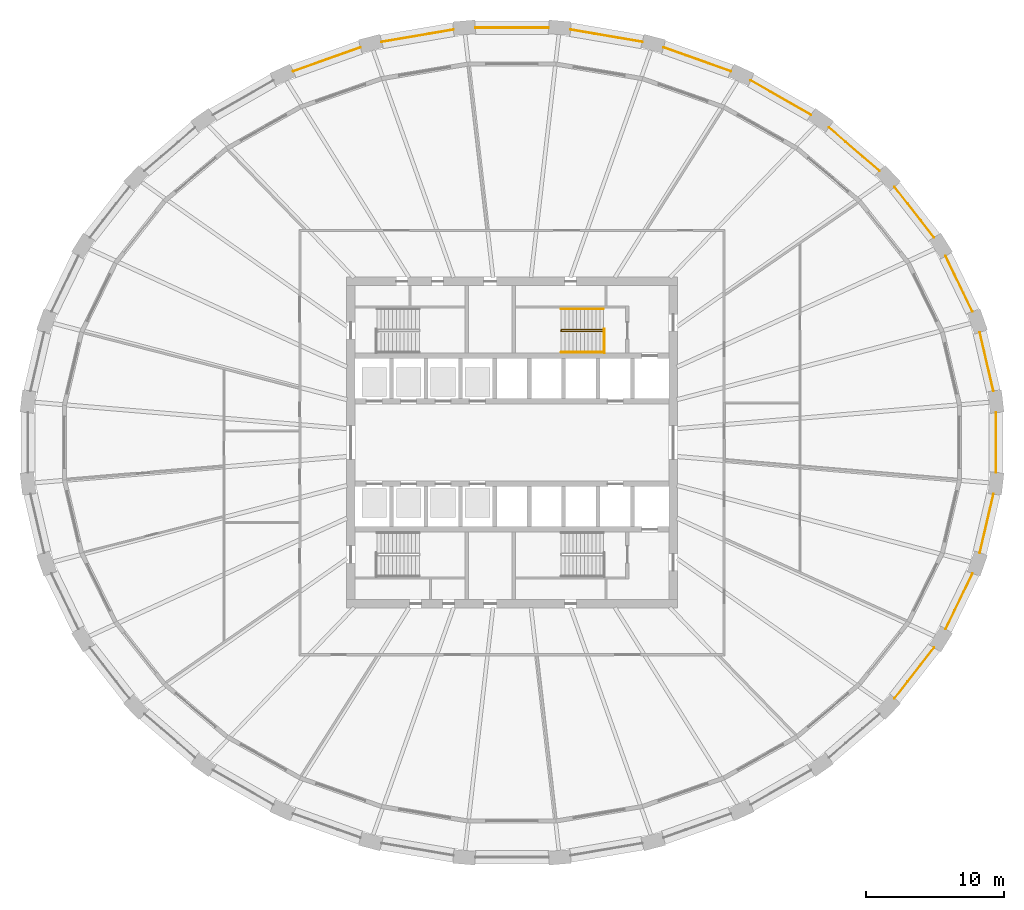
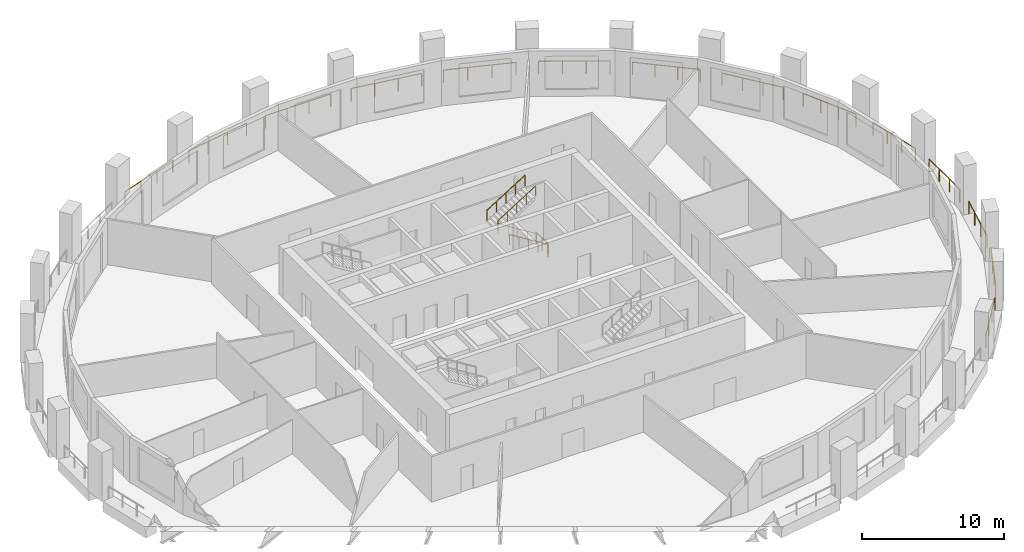
# One storey, part 9 of 10: 18 railings.
"""IFC4 building model written with IfcOpenShell, lengths in metres."""

import ifcopenshell
import ifcopenshell.guid

model = None  # the IFC model being written
_history = None  # IfcOwnerHistory: only IFC2X3 demands one
_inside = {}  # id of a spatial element -> (the spatial element, [elements in it])
_under = {}  # id of a project, library or spatial element -> (it, [spatial elements below it])
_declared = {}  # id of a project -> (the project, [libraries it declares])
_typed = {}  # id of a type object -> (the type object, [elements of that type])
_made_of = {}  # id of a material, layer set ... -> (it, [elements and type objects made of it])


def new_model(schema):
    """Start an empty IFC model of exactly this schema.

    Asked for "IFC4X3", IfcOpenShell would pick the latest addendum, in which some entities
    have other attributes; the version numbers below select the first issue.
    IFC2X3 requires an IfcOwnerHistory on every rooted entity: one is made here for all.
    """
    global model, _history
    if schema == "IFC4X3":
        model = ifcopenshell.file(schema_version=(4, 3, 0, 0))
    else:
        model = ifcopenshell.file(schema=schema)
    _inside.clear()
    _under.clear()
    _declared.clear()
    _typed.clear()
    _made_of.clear()
    _history = None
    if model.schema == "IFC2X3":
        org = make("IfcOrganization", Name="unknown")
        user = make(
            "IfcPersonAndOrganization",
            ThePerson=make("IfcPerson", FamilyName="unknown"),
            TheOrganization=org,
        )
        app = make(
            "IfcApplication",
            ApplicationDeveloper=org,
            Version="unknown",
            ApplicationFullName="unknown",
            ApplicationIdentifier="unknown",
        )
        _history = make(
            "IfcOwnerHistory",
            OwningUser=user,
            OwningApplication=app,
            ChangeAction="ADDED",
            CreationDate=0,
        )
    return model


def make(cls, **values):
    """One entity of the class cls with the attributes given. An attribute that is None is left unset."""
    return model.create_entity(
        cls, **{name: value for name, value in values.items() if value is not None}
    )


def rooted(cls, **values):
    """An entity with a GlobalId (a new one), such as an element, a storey or a relation."""
    return make(cls, GlobalId=ifcopenshell.guid.new(), OwnerHistory=_history, **values)


def si_unit(unit_type, name, prefix=None):
    """IfcSIUnit, for example si_unit("LENGTHUNIT", "METRE", prefix="MILLI")."""
    return make("IfcSIUnit", UnitType=unit_type, Prefix=prefix, Name=name)


def assignment(units):
    """IfcUnitAssignment: the units of a project."""
    return None if units is None else make("IfcUnitAssignment", Units=units)


def point(xyz):
    """IfcCartesianPoint."""
    return None if xyz is None else make("IfcCartesianPoint", Coordinates=xyz)


def direction(xyz):
    """IfcDirection."""
    return None if xyz is None else make("IfcDirection", DirectionRatios=xyz)


def frame(location, z_axis=None, x_axis=None):
    """IfcAxis2Placement3D, a coordinate frame: its origin and axes. An axis left out is left unset."""
    return make(
        "IfcAxis2Placement3D",
        Location=point(location),
        Axis=direction(z_axis),
        RefDirection=direction(x_axis),
    )


def frame_2d(location, x_axis=None):
    """IfcAxis2Placement2D, a coordinate frame in the plane: its origin and x axis."""
    return make(
        "IfcAxis2Placement2D", Location=point(location), RefDirection=direction(x_axis)
    )


def origin():
    """The frame at (0, 0, 0) with its axes left unset."""
    return frame((0.0, 0.0, 0.0))


def origin_2d():
    """The frame at (0, 0) in the plane with its x axis left unset."""
    return frame_2d((0.0, 0.0))


def place(relative_to, where):
    """IfcLocalPlacement: puts the frame where relative to a parent placement (None: the world)."""
    return make(
        "IfcLocalPlacement", PlacementRelTo=relative_to, RelativePlacement=where
    )


def context(
    kind, dimensions, precision=None, world=None, true_north=None, identifier=None
):
    """IfcGeometricRepresentationContext, for example the 3D "Model" context."""
    return make(
        "IfcGeometricRepresentationContext",
        ContextIdentifier=identifier,
        ContextType=kind,
        CoordinateSpaceDimension=dimensions,
        Precision=precision,
        WorldCoordinateSystem=world,
        TrueNorth=true_north,
    )


def subcontext(parent, identifier, kind, view, scale=None):
    """IfcGeometricRepresentationSubContext, for example "Body" below "Model"."""
    return make(
        "IfcGeometricRepresentationSubContext",
        ContextIdentifier=identifier,
        ContextType=kind,
        ParentContext=parent,
        TargetScale=scale,
        TargetView=view,
    )


def project(units=None, contexts=None):
    """IfcProject with its units and contexts."""
    return rooted(
        "IfcProject",
        Name="project",
        RepresentationContexts=contexts,
        UnitsInContext=assignment(units),
    )


def spatial(cls, under=None, at=None, **own):
    """A site, building, storey or space (cls), placed at a placement, below another one or the project."""
    s = rooted(cls, ObjectPlacement=at, **own)
    if under is not None:
        _under.setdefault(under.id(), (under, []))[1].append(s)
    return s


def profile(cls, at=None, kind="AREA", **sizes):
    """A parametric profile (cls). Its sizes go by their IFC names, for example OverallWidth=200.0."""
    return make(cls, ProfileType=kind, Position=at, **sizes)


def circle(**sizes):
    """IfcCircleProfileDef."""
    return profile("IfcCircleProfileDef", **sizes)


def extrude(swept, where, along, depth):
    """IfcExtrudedAreaSolid: the profile swept, set in the frame where, extruded along a direction by depth."""
    return make(
        "IfcExtrudedAreaSolid",
        SweptArea=swept,
        Position=where,
        ExtrudedDirection=direction(along),
        Depth=depth,
    )


def shape(context_of_items, identifier, shape_type, items):
    """IfcShapeRepresentation: the items that make up one representation, for example the "Body"."""
    return make(
        "IfcShapeRepresentation",
        ContextOfItems=context_of_items,
        RepresentationIdentifier=identifier,
        RepresentationType=shape_type,
        Items=items,
    )


def material(Name=None, Category=None):
    """IfcMaterial."""
    return make("IfcMaterial", Name=Name, Category=Category)


def made_of(thing, what):
    """Note that an element or type object is made of a material, layer set ...; save() writes the relation."""
    if what is not None:
        _made_of.setdefault(what.id(), (what, []))[1].append(thing)
    return thing


def type_object(cls, material=None, **own):
    """A type object (cls), such as IfcWallType, which elements share."""
    return made_of(rooted(cls, **own), material)


def element(
    cls,
    number,
    at=None,
    inside=None,
    cuts=None,
    type_object=None,
    material=None,
    context=None,
    identifier="Body",
    shape_type=None,
    held_by="IfcProductDefinitionShape",
    body=None,
    shapes=None,
    **own,
):
    """One element of the class cls, such as IfcWall. Its Tag is "e" and its number.

    at: its placement. inside: the storey or other place that contains it. cuts: it is an
    opening in that element (IfcRelVoidsElement). A single representation is given by context,
    identifier, shape_type and body (its items); several are given by shapes. held_by: the class
    of the entity that holds the representations. save() writes the other relations.
    """
    e = rooted(cls, Tag="e%d" % number, ObjectPlacement=at, **own)
    if body is not None:
        shapes = [shape(context, identifier, shape_type, body)]
    if shapes is not None:
        e.Representation = make(held_by, Representations=shapes)
    if inside is not None:
        _inside.setdefault(inside.id(), (inside, []))[1].append(e)
    if cuts is not None:
        rooted(
            "IfcRelVoidsElement", RelatingBuildingElement=cuts, RelatedOpeningElement=e
        )
    if type_object is not None:
        _typed.setdefault(type_object.id(), (type_object, []))[1].append(e)
    return made_of(e, material)


def aggregate(whole, parts):
    """IfcRelAggregates: a whole, such as a stair, and the parts it consists of."""
    return rooted("IfcRelAggregates", RelatingObject=whole, RelatedObjects=parts)


def save(model, path):
    """Write the relations noted so far, then the file.

    IfcRelAggregates (storeys below a building ...), IfcRelContainedInSpatialStructure (elements
    in a storey), IfcRelDefinesByType, IfcRelAssociatesMaterial and IfcRelDeclares: one each for
    every whole, place, type object, material and project.
    """
    for whole, parts in _under.values():
        aggregate(whole, parts)
    for where, things in _inside.values():
        rooted(
            "IfcRelContainedInSpatialStructure",
            RelatedElements=things,
            RelatingStructure=where,
        )
    for kind, things in _typed.values():
        rooted("IfcRelDefinesByType", RelatedObjects=things, RelatingType=kind)
    for what, things in _made_of.values():
        rooted("IfcRelAssociatesMaterial", RelatedObjects=things, RelatingMaterial=what)
    for by, libraries in _declared.values():
        rooted("IfcRelDeclares", RelatingContext=by, RelatedDefinitions=libraries)
    model.write(path)


model = new_model("IFC4")

# Units and contexts
model_context = context("Model", 3, precision=1e-05, world=origin(), true_north=direction((0.0, 1.0)))
body_context = subcontext(model_context, "Body", "Model", "MODEL_VIEW")
ifc_project = project(units=[si_unit("LENGTHUNIT", "METRE"), si_unit("AREAUNIT", "SQUARE_METRE"), si_unit("VOLUMEUNIT", "CUBIC_METRE"), si_unit("PLANEANGLEUNIT", "RADIAN"), si_unit("MASSUNIT", "GRAM", prefix="KILO")], contexts=[model_context])

# Site, building, storey
site_placement = place(None, origin())
site = spatial("IfcSite", under=ifc_project, at=site_placement, CompositionType="ELEMENT")
building_placement = place(site_placement, origin())
building = spatial("IfcBuilding", under=site, at=building_placement, Name="Halqa Exchange Tower", CompositionType="ELEMENT")
storey_placement = place(building_placement, frame((0.0, 0.0, 104.5)))
storey = spatial("IfcBuildingStorey", under=building, at=storey_placement, Name="L23", CompositionType="ELEMENT", Elevation=104.5)

# Railings
ifc_material = material(Name="Stainless steel", Category="steel")
railing_type_1 = type_object("IfcRailingType", Name="Guard 1100 stainless steel", PredefinedType="GUARDRAIL", material=ifc_material)
railing_1_placement = place(storey_placement, frame((34.938720703125, 3.744140625, 0.0)))
element("IfcRailing", 1, at=railing_1_placement, inside=storey, type_object=railing_type_1, Name="Loggia guard 1", PredefinedType="GUARDRAIL", context=body_context, shape_type="SweptSolid", body=[
    extrude(circle(Radius=0.02392578125, at=origin_2d()), frame((0.0, 0.0, 1.076171875), z_axis=(-0.226083325103, 0.974107966352, 0.0), x_axis=(-0.974107966352, -0.226083325103, 0.0)), (0.0, 0.0, 1.0), 4.3701171875),
    extrude(circle(Radius=0.02099609375, at=origin_2d()), origin(), (0.0, 0.0, 1.0), 1.052001953125),
    extrude(circle(Radius=0.02099609375, at=origin_2d()), frame((-0.329345703125, 1.4189453125, 0.0)), (0.0, 0.0, 1.0), 1.052001953125),
    extrude(circle(Radius=0.02099609375, at=origin_2d()), frame((-0.65869140625, 2.838134765625, 0.0)), (0.0, 0.0, 1.0), 1.052001953125),
    extrude(circle(Radius=0.02099609375, at=origin_2d()), frame((-0.988037109375, 4.257080078125, 0.0)), (0.0, 0.0, 1.0), 1.052001953125),
])
railing_2_placement = place(storey_placement, frame((33.421875, 9.5009765625, 0.0)))
element("IfcRailing", 2, at=railing_2_placement, inside=storey, type_object=railing_type_1, Name="Loggia guard 2", PredefinedType="GUARDRAIL", context=body_context, shape_type="SweptSolid", body=[
    extrude(circle(Radius=0.02392578125, at=origin_2d()), frame((0.0, 0.0, 1.076171875), z_axis=(-0.435108344434, 0.900378103134, 0.0), x_axis=(-0.900378103134, -0.435108344434, 0.0)), (0.0, 0.0, 1.0), 4.484375),
    extrude(circle(Radius=0.02099609375, at=origin_2d()), origin(), (0.0, 0.0, 1.0), 1.052001953125),
    extrude(circle(Radius=0.02099609375, at=origin_2d()), frame((-0.650390625, 1.345947265625, 0.0)), (0.0, 0.0, 1.0), 1.052001953125),
    extrude(circle(Radius=0.02099609375, at=origin_2d()), frame((-1.30078125, 2.691650390625, 0.0)), (0.0, 0.0, 1.0), 1.052001953125),
    extrude(circle(Radius=0.02099609375, at=origin_2d()), frame((-1.951171875, 4.03759765625, 0.0)), (0.0, 0.0, 1.0), 1.052001953125),
])
railing_3_placement = place(storey_placement, frame((30.630859375, 14.889892578125, 0.0)))
element("IfcRailing", 3, at=railing_3_placement, inside=storey, type_object=railing_type_1, Name="Loggia guard 3", PredefinedType="GUARDRAIL", context=body_context, shape_type="SweptSolid", body=[
    extrude(circle(Radius=0.02392578125, at=origin_2d()), frame((0.0, 0.0, 1.076171875), z_axis=(-0.614826844316, 0.788662127599, 0.0), x_axis=(-0.788662127599, -0.614826844316, 0.0)), (0.0, 0.0, 1.0), 4.651611328125),
    extrude(circle(Radius=0.02099609375, at=origin_2d()), origin(), (0.0, 0.0, 1.0), 1.052001953125),
    extrude(circle(Radius=0.02099609375, at=origin_2d()), frame((-0.953369140625, 1.222900390625, 0.0)), (0.0, 0.0, 1.0), 1.052001953125),
    extrude(circle(Radius=0.02099609375, at=origin_2d()), frame((-1.906494140625, 2.445556640625, 0.0)), (0.0, 0.0, 1.0), 1.052001953125),
    extrude(circle(Radius=0.02099609375, at=origin_2d()), frame((-2.85986328125, 3.66845703125, 0.0)), (0.0, 0.0, 1.0), 1.052001953125),
])
railing_4_placement = place(storey_placement, frame((26.671875, 19.709716796875, 0.0)))
element("IfcRailing", 4, at=railing_4_placement, inside=storey, type_object=railing_type_1, Name="Loggia guard 4", PredefinedType="GUARDRAIL", context=body_context, shape_type="SweptSolid", body=[
    extrude(circle(Radius=0.02392578125, at=origin_2d()), frame((0.0, 0.0, 1.076171875), z_axis=(-0.759242368447, 0.650807979327, 0.0), x_axis=(-0.650807979327, -0.759242368447, 0.0)), (0.0, 0.0, 1.0), 4.843017578125),
    extrude(circle(Radius=0.02099609375, at=origin_2d()), origin(), (0.0, 0.0, 1.0), 1.052001953125),
    extrude(circle(Radius=0.02099609375, at=origin_2d()), frame((-1.2255859375, 1.050537109375, 0.0)), (0.0, 0.0, 1.0), 1.052001953125),
    extrude(circle(Radius=0.02099609375, at=origin_2d()), frame((-2.451416015625, 2.101318359375, 0.0)), (0.0, 0.0, 1.0), 1.052001953125),
    extrude(circle(Radius=0.02099609375, at=origin_2d()), frame((-3.677001953125, 3.15185546875, 0.0)), (0.0, 0.0, 1.0), 1.052001953125),
])
railing_5_placement = place(storey_placement, frame((21.693115234375, 23.77978515625, 0.0)))
element("IfcRailing", 5, at=railing_5_placement, inside=storey, type_object=railing_type_1, Name="Loggia guard 5", PredefinedType="GUARDRAIL", context=body_context, shape_type="SweptSolid", body=[
    extrude(circle(Radius=0.02392578125, at=origin_2d()), frame((0.0, 0.0, 1.076171875), z_axis=(-0.867764691491, 0.496975291339, 0.0), x_axis=(-0.496975291339, -0.867764691491, 0.0)), (0.0, 0.0, 1.0), 5.028564453125),
    extrude(circle(Radius=0.02099609375, at=origin_2d()), origin(), (0.0, 0.0, 1.0), 1.052001953125),
    extrude(circle(Radius=0.02099609375, at=origin_2d()), frame((-1.45458984375, 0.8330078125, 0.0)), (0.0, 0.0, 1.0), 1.052001953125),
    extrude(circle(Radius=0.02099609375, at=origin_2d()), frame((-2.908935546875, 1.666015625, 0.0)), (0.0, 0.0, 1.0), 1.052001953125),
    extrude(circle(Radius=0.02099609375, at=origin_2d()), frame((-4.363525390625, 2.4990234375, 0.0)), (0.0, 0.0, 1.0), 1.052001953125),
])
railing_6_placement = place(storey_placement, frame((15.881591796875, 26.944091796875, 0.0)))
element("IfcRailing", 6, at=railing_6_placement, inside=storey, type_object=railing_type_1, Name="Loggia guard 6", PredefinedType="GUARDRAIL", context=body_context, shape_type="SweptSolid", body=[
    extrude(circle(Radius=0.02392578125, at=origin_2d()), frame((0.0, 0.0, 1.076171875), z_axis=(-0.942371218472, 0.334569105858, 0.0), x_axis=(-0.334569105858, -0.942371218472, 0.0)), (0.0, 0.0, 1.0), 5.182373046875),
    extrude(circle(Radius=0.02099609375, at=origin_2d()), origin(), (0.0, 0.0, 1.0), 1.052001953125),
    extrude(circle(Radius=0.02099609375, at=origin_2d()), frame((-1.6279296875, 0.577880859375, 0.0)), (0.0, 0.0, 1.0), 1.052001953125),
    extrude(circle(Radius=0.02099609375, at=origin_2d()), frame((-3.255859375, 1.156005859375, 0.0)), (0.0, 0.0, 1.0), 1.052001953125),
    extrude(circle(Radius=0.02099609375, at=origin_2d()), frame((-4.8837890625, 1.73388671875, 0.0)), (0.0, 0.0, 1.0), 1.052001953125),
])
railing_7_placement = place(storey_placement, frame((9.455322265625, 29.080078125, 0.0)))
element("IfcRailing", 7, at=railing_7_placement, inside=storey, type_object=railing_type_1, Name="Loggia guard 7", PredefinedType="GUARDRAIL", context=body_context, shape_type="SweptSolid", body=[
    extrude(circle(Radius=0.02392578125, at=origin_2d()), frame((0.0, 0.0, 1.076171875), z_axis=(-0.985773799139, 0.168077413505, 0.0), x_axis=(-0.168077413505, -0.985773799139, 0.0)), (0.0, 0.0, 1.0), 5.282958984375),
    extrude(circle(Radius=0.02099609375, at=origin_2d()), origin(), (0.0, 0.0, 1.0), 1.052001953125),
    extrude(circle(Radius=0.02099609375, at=origin_2d()), frame((-1.73583984375, 0.2958984375, 0.0)), (0.0, 0.0, 1.0), 1.052001953125),
    extrude(circle(Radius=0.02099609375, at=origin_2d()), frame((-3.471923828125, 0.592041015625, 0.0)), (0.0, 0.0, 1.0), 1.052001953125),
    extrude(circle(Radius=0.02099609375, at=origin_2d()), frame((-5.207763671875, 0.887939453125, 0.0)), (0.0, 0.0, 1.0), 1.052001953125),
])
railing_8_placement = place(storey_placement, frame((2.658935546875, 30.102294921875, 0.0)))
element("IfcRailing", 8, at=railing_8_placement, inside=storey, type_object=railing_type_1, Name="Loggia guard 8", PredefinedType="GUARDRAIL", context=body_context, shape_type="SweptSolid", body=[
    extrude(circle(Radius=0.02392578125, at=origin_2d()), frame((0.0, 0.0, 1.076171875), z_axis=(-1.0, 0.0, 0.0), x_axis=(0.0, -1.0, 0.0)), (0.0, 0.0, 1.0), 5.31787109375),
    extrude(circle(Radius=0.02099609375, at=origin_2d()), origin(), (0.0, 0.0, 1.0), 1.052001953125),
    extrude(circle(Radius=0.02099609375, at=origin_2d()), frame((-1.772705078125, 0.0, 0.0)), (0.0, 0.0, 1.0), 1.052001953125),
    extrude(circle(Radius=0.02099609375, at=origin_2d()), frame((-3.545166015625, 0.0, 0.0)), (0.0, 0.0, 1.0), 1.052001953125),
    extrude(circle(Radius=0.02099609375, at=origin_2d()), frame((-5.31787109375, 0.0, 0.0)), (0.0, 0.0, 1.0), 1.052001953125),
])
railing_9_placement = place(storey_placement, frame((-4.24755859375, 29.968017578125, 0.0)))
element("IfcRailing", 9, at=railing_9_placement, inside=storey, type_object=railing_type_1, Name="Loggia guard 9", PredefinedType="GUARDRAIL", context=body_context, shape_type="SweptSolid", body=[
    extrude(circle(Radius=0.02392578125, at=origin_2d()), frame((0.0, 0.0, 1.076171875), z_axis=(-0.985773799139, -0.168077413505, 0.0), x_axis=(0.168077413505, -0.985773799139, 0.0)), (0.0, 0.0, 1.0), 5.282958984375),
    extrude(circle(Radius=0.02099609375, at=origin_2d()), origin(), (0.0, 0.0, 1.0), 1.052001953125),
    extrude(circle(Radius=0.02099609375, at=origin_2d()), frame((-1.73583984375, -0.2958984375, 0.0)), (0.0, 0.0, 1.0), 1.052001953125),
    extrude(circle(Radius=0.02099609375, at=origin_2d()), frame((-3.471923828125, -0.592041015625, 0.0)), (0.0, 0.0, 1.0), 1.052001953125),
    extrude(circle(Radius=0.02099609375, at=origin_2d()), frame((-5.207763671875, -0.887939453125, 0.0)), (0.0, 0.0, 1.0), 1.052001953125),
])
railing_10_placement = place(storey_placement, frame((-10.997802734375, 28.677978515625, 0.0)))
element("IfcRailing", 10, at=railing_10_placement, inside=storey, type_object=railing_type_1, Name="Loggia guard 10", PredefinedType="GUARDRAIL", context=body_context, shape_type="SweptSolid", body=[
    extrude(circle(Radius=0.02392578125, at=origin_2d()), frame((0.0, 0.0, 1.076171875), z_axis=(-0.942371218472, -0.334569105858, 0.0), x_axis=(0.334569105858, -0.942371218472, 0.0)), (0.0, 0.0, 1.0), 5.182373046875),
    extrude(circle(Radius=0.02099609375, at=origin_2d()), origin(), (0.0, 0.0, 1.0), 1.052001953125),
    extrude(circle(Radius=0.02099609375, at=origin_2d()), frame((-1.6279296875, -0.577880859375, 0.0)), (0.0, 0.0, 1.0), 1.052001953125),
    extrude(circle(Radius=0.02099609375, at=origin_2d()), frame((-3.255859375, -1.156005859375, 0.0)), (0.0, 0.0, 1.0), 1.052001953125),
    extrude(circle(Radius=0.02099609375, at=origin_2d()), frame((-4.8837890625, -1.73388671875, 0.0)), (0.0, 0.0, 1.0), 1.052001953125),
])
railing_11_placement = place(storey_placement, frame((27.77099609375, -18.558349609375, 0.0)))
element("IfcRailing", 11, at=railing_11_placement, inside=storey, type_object=railing_type_1, Name="Loggia guard 29", PredefinedType="GUARDRAIL", context=body_context, shape_type="SweptSolid", body=[
    extrude(circle(Radius=0.02392578125, at=origin_2d()), frame((0.0, 0.0, 1.076171875), z_axis=(0.614826844316, 0.788662127599, 0.0), x_axis=(-0.788662127599, 0.614826844316, 0.0)), (0.0, 0.0, 1.0), 4.651611328125),
    extrude(circle(Radius=0.02099609375, at=origin_2d()), origin(), (0.0, 0.0, 1.0), 1.052001953125),
    extrude(circle(Radius=0.02099609375, at=origin_2d()), frame((0.953369140625, 1.222900390625, 0.0)), (0.0, 0.0, 1.0), 1.052001953125),
    extrude(circle(Radius=0.02099609375, at=origin_2d()), frame((1.906494140625, 2.445556640625, 0.0)), (0.0, 0.0, 1.0), 1.052001953125),
    extrude(circle(Radius=0.02099609375, at=origin_2d()), frame((2.85986328125, 3.66845703125, 0.0)), (0.0, 0.0, 1.0), 1.052001953125),
])
railing_12_placement = place(storey_placement, frame((31.470703125, -13.53857421875, 0.0)))
element("IfcRailing", 12, at=railing_12_placement, inside=storey, type_object=railing_type_1, Name="Loggia guard 30", PredefinedType="GUARDRAIL", context=body_context, shape_type="SweptSolid", body=[
    extrude(circle(Radius=0.02392578125, at=origin_2d()), frame((0.0, 0.0, 1.076171875), z_axis=(0.435108344434, 0.900378103134, 0.0), x_axis=(-0.900378103134, 0.435108344434, 0.0)), (0.0, 0.0, 1.0), 4.484375),
    extrude(circle(Radius=0.02099609375, at=origin_2d()), origin(), (0.0, 0.0, 1.0), 1.052001953125),
    extrude(circle(Radius=0.02099609375, at=origin_2d()), frame((0.650390625, 1.345947265625, 0.0)), (0.0, 0.0, 1.0), 1.052001953125),
    extrude(circle(Radius=0.02099609375, at=origin_2d()), frame((1.30078125, 2.691650390625, 0.0)), (0.0, 0.0, 1.0), 1.052001953125),
    extrude(circle(Radius=0.02099609375, at=origin_2d()), frame((1.951171875, 4.03759765625, 0.0)), (0.0, 0.0, 1.0), 1.052001953125),
])
railing_13_placement = place(storey_placement, frame((33.95068359375, -8.001220703125, 0.0)))
element("IfcRailing", 13, at=railing_13_placement, inside=storey, type_object=railing_type_1, Name="Loggia guard 31", PredefinedType="GUARDRAIL", context=body_context, shape_type="SweptSolid", body=[
    extrude(circle(Radius=0.02392578125, at=origin_2d()), frame((0.0, 0.0, 1.076171875), z_axis=(0.226083325103, 0.974107966352, 0.0), x_axis=(-0.974107966352, 0.226083325103, 0.0)), (0.0, 0.0, 1.0), 4.3701171875),
    extrude(circle(Radius=0.02099609375, at=origin_2d()), origin(), (0.0, 0.0, 1.0), 1.052001953125),
    extrude(circle(Radius=0.02099609375, at=origin_2d()), frame((0.329345703125, 1.4189453125, 0.0)), (0.0, 0.0, 1.0), 1.052001953125),
    extrude(circle(Radius=0.02099609375, at=origin_2d()), frame((0.65869140625, 2.838134765625, 0.0)), (0.0, 0.0, 1.0), 1.052001953125),
    extrude(circle(Radius=0.02099609375, at=origin_2d()), frame((0.988037109375, 4.257080078125, 0.0)), (0.0, 0.0, 1.0), 1.052001953125),
])
railing_14_placement = place(storey_placement, frame((35.11962890625, -2.164794921875, 0.0)))
element("IfcRailing", 14, at=railing_14_placement, inside=storey, type_object=railing_type_1, Name="Loggia guard 32", PredefinedType="GUARDRAIL", context=body_context, shape_type="SweptSolid", body=[
    extrude(circle(Radius=0.02392578125, at=origin_2d()), frame((0.0, 0.0, 1.076171875), z_axis=(0.0, 1.0, 0.0), x_axis=(-1.0, 0.0, 0.0)), (0.0, 0.0, 1.0), 4.32958984375),
    extrude(circle(Radius=0.02099609375, at=origin_2d()), origin(), (0.0, 0.0, 1.0), 1.052001953125),
    extrude(circle(Radius=0.02099609375, at=origin_2d()), frame((0.0, 1.443115234375, 0.0)), (0.0, 0.0, 1.0), 1.052001953125),
    extrude(circle(Radius=0.02099609375, at=origin_2d()), frame((0.0, 2.886474609375, 0.0)), (0.0, 0.0, 1.0), 1.052001953125),
    extrude(circle(Radius=0.02099609375, at=origin_2d()), frame((0.0, 4.32958984375, 0.0)), (0.0, 0.0, 1.0), 1.052001953125),
])
railing_type_2 = type_object("IfcRailingType", Name="Stair handrail 900", PredefinedType="HANDRAIL", material=ifc_material)
railing_15_placement = place(storey_placement, frame((6.64990234375, 8.06005859375, 0.175048828125)))
element("IfcRailing", 15, at=railing_15_placement, inside=storey, type_object=railing_type_2, Name="Handrail ST2.1", PredefinedType="HANDRAIL", context=body_context, shape_type="SweptSolid", body=[
    extrude(circle(Radius=0.02392578125, at=origin_2d()), frame((0.0, 0.0, 0.8759765625), z_axis=(-0.847979421464, 0.0, 0.530029150871), x_axis=(0.0, -1.0, 0.0)), (0.0, 0.0, 1.0), 3.632080078125),
    extrude(circle(Radius=0.02392578125, at=origin_2d()), frame((-3.079833984375, 0.0, 2.80078125), z_axis=(0.0, 0.596406559517, 0.802682512433), x_axis=(-1.0, 0.0, 0.0)), (0.0, 0.0, 1.0), 0.2177734375),
    extrude(circle(Radius=0.02392578125, at=origin_2d()), frame((-3.079833984375, 0.1298828125, 2.9755859375), z_axis=(0.847979421464, 0.0, 0.530029150871), x_axis=(0.0, 1.0, 0.0)), (0.0, 0.0, 1.0), 3.632080078125),
    extrude(circle(Radius=0.02099609375, at=origin_2d()), origin(), (0.0, 0.0, 1.0), 0.851806640625),
    extrude(circle(Radius=0.02099609375, at=origin_2d()), frame((-0.77001953125, 0.0, 0.481201171875)), (0.0, 0.0, 1.0), 0.851806640625),
    extrude(circle(Radius=0.02099609375, at=origin_2d()), frame((-1.5400390625, 0.0, 0.96240234375)), (0.0, 0.0, 1.0), 0.851806640625),
    extrude(circle(Radius=0.02099609375, at=origin_2d()), frame((-2.309814453125, 0.0, 1.44384765625)), (0.0, 0.0, 1.0), 0.851806640625),
    extrude(circle(Radius=0.02099609375, at=origin_2d()), frame((-3.079833984375, 0.0, 1.925048828125)), (0.0, 0.0, 1.0), 0.851806640625),
    extrude(circle(Radius=0.02099609375, at=origin_2d()), frame((-3.079833984375, 0.1298828125, 2.099853515625)), (0.0, 0.0, 1.0), 0.851806640625),
    extrude(circle(Radius=0.02099609375, at=origin_2d()), frame((-2.309814453125, 0.1298828125, 2.5810546875)), (0.0, 0.0, 1.0), 0.851806640625),
    extrude(circle(Radius=0.02099609375, at=origin_2d()), frame((-1.5400390625, 0.1298828125, 3.0625)), (0.0, 0.0, 1.0), 0.851806640625),
    extrude(circle(Radius=0.02099609375, at=origin_2d()), frame((-0.77001953125, 0.1298828125, 3.543701171875)), (0.0, 0.0, 1.0), 0.851806640625),
    extrude(circle(Radius=0.02099609375, at=origin_2d()), frame((0.0, 0.1298828125, 4.02490234375)), (0.0, 0.0, 1.0), 0.851806640625),
])
railing_16_placement = place(storey_placement, frame((6.64990234375, 6.550048828125, 0.175048828125)))
element("IfcRailing", 16, at=railing_16_placement, inside=storey, type_object=railing_type_2, Name="Handrail ST2.2", PredefinedType="HANDRAIL", context=body_context, shape_type="SweptSolid", body=[
    extrude(circle(Radius=0.02392578125, at=origin_2d()), frame((0.0, 0.0, 0.8759765625), z_axis=(-0.847979421464, 0.0, 0.530029150871), x_axis=(0.0, -1.0, 0.0)), (0.0, 0.0, 1.0), 3.632080078125),
    extrude(circle(Radius=0.02099609375, at=origin_2d()), origin(), (0.0, 0.0, 1.0), 0.851806640625),
    extrude(circle(Radius=0.02099609375, at=origin_2d()), frame((-0.77001953125, 0.0, 0.481201171875)), (0.0, 0.0, 1.0), 0.851806640625),
    extrude(circle(Radius=0.02099609375, at=origin_2d()), frame((-1.5400390625, 0.0, 0.96240234375)), (0.0, 0.0, 1.0), 0.851806640625),
    extrude(circle(Radius=0.02099609375, at=origin_2d()), frame((-2.309814453125, 0.0, 1.44384765625)), (0.0, 0.0, 1.0), 0.851806640625),
    extrude(circle(Radius=0.02099609375, at=origin_2d()), frame((-3.079833984375, 0.0, 1.925048828125)), (0.0, 0.0, 1.0), 0.851806640625),
])
railing_17_placement = place(storey_placement, frame((3.570068359375, 9.699951171875, 2.27490234375)))
element("IfcRailing", 17, at=railing_17_placement, inside=storey, type_object=railing_type_2, Name="Handrail ST2.3", PredefinedType="HANDRAIL", context=body_context, shape_type="SweptSolid", body=[
    extrude(circle(Radius=0.02392578125, at=origin_2d()), frame((0.0, 0.0, 0.8759765625), z_axis=(0.847979421464, 0.0, 0.530029150871), x_axis=(0.0, 1.0, 0.0)), (0.0, 0.0, 1.0), 3.632080078125),
    extrude(circle(Radius=0.02099609375, at=origin_2d()), origin(), (0.0, 0.0, 1.0), 0.851806640625),
    extrude(circle(Radius=0.02099609375, at=origin_2d()), frame((0.77001953125, 0.0, 0.481201171875)), (0.0, 0.0, 1.0), 0.851806640625),
    extrude(circle(Radius=0.02099609375, at=origin_2d()), frame((1.5400390625, 0.0, 0.96240234375)), (0.0, 0.0, 1.0), 0.851806640625),
    extrude(circle(Radius=0.02099609375, at=origin_2d()), frame((2.309814453125, 0.0, 1.44384765625)), (0.0, 0.0, 1.0), 0.851806640625),
    extrude(circle(Radius=0.02099609375, at=origin_2d()), frame((3.079833984375, 0.0, 1.925048828125)), (0.0, 0.0, 1.0), 0.851806640625),
])
railing_type_3 = type_object("IfcRailingType", Name="Stair well guard 1100", PredefinedType="GUARDRAIL", material=ifc_material)
railing_18_placement = place(storey_placement, frame((6.699951171875, 6.5, 0.0)))
element("IfcRailing", 18, at=railing_18_placement, inside=storey, type_object=railing_type_3, Name="Guard ST2 well", PredefinedType="GUARDRAIL", context=body_context, shape_type="SweptSolid", body=[
    extrude(circle(Radius=0.02392578125, at=origin_2d()), frame((0.0, 0.0, 1.076171875), z_axis=(0.0, 1.0, 0.0), x_axis=(-1.0, 0.0, 0.0)), (0.0, 0.0, 1.0), 1.75),
    extrude(circle(Radius=0.02099609375, at=origin_2d()), origin(), (0.0, 0.0, 1.0), 1.052001953125),
    extrude(circle(Radius=0.02099609375, at=origin_2d()), frame((0.0, 0.875, 0.0)), (0.0, 0.0, 1.0), 1.052001953125),
    extrude(circle(Radius=0.02099609375, at=origin_2d()), frame((0.0, 1.75, 0.0)), (0.0, 0.0, 1.0), 1.052001953125),
])

save(model, "model.ifc")
